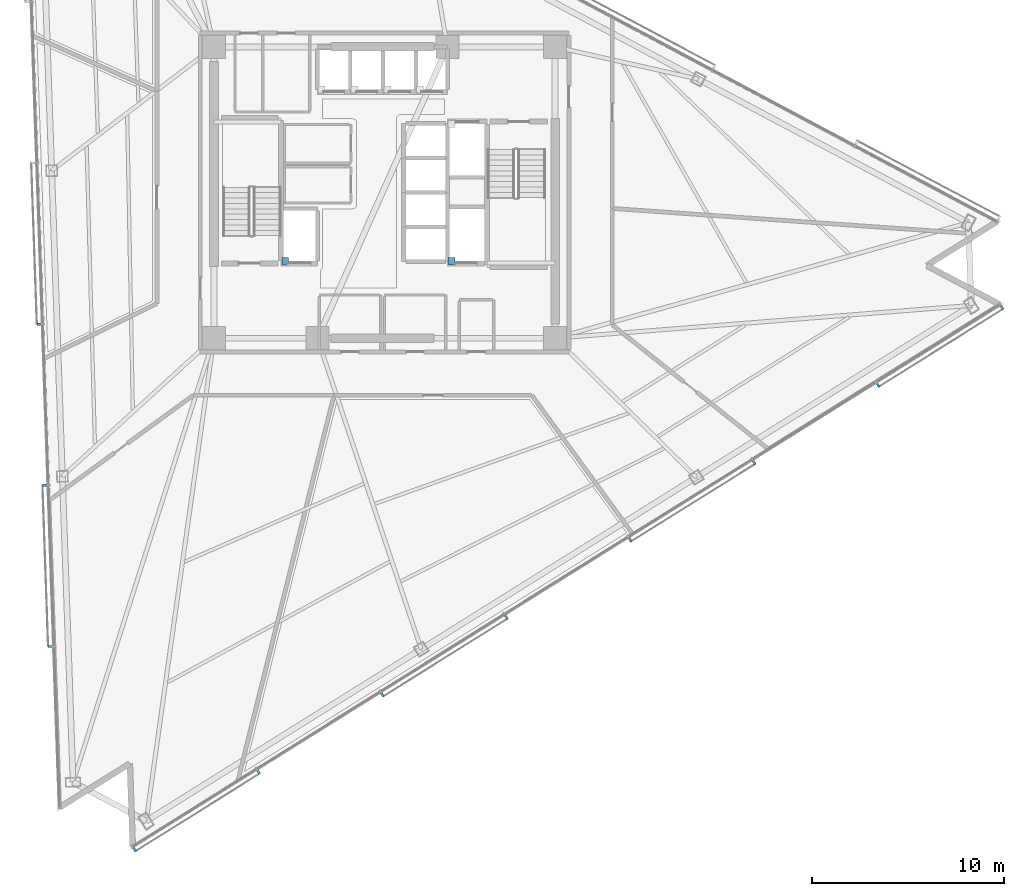
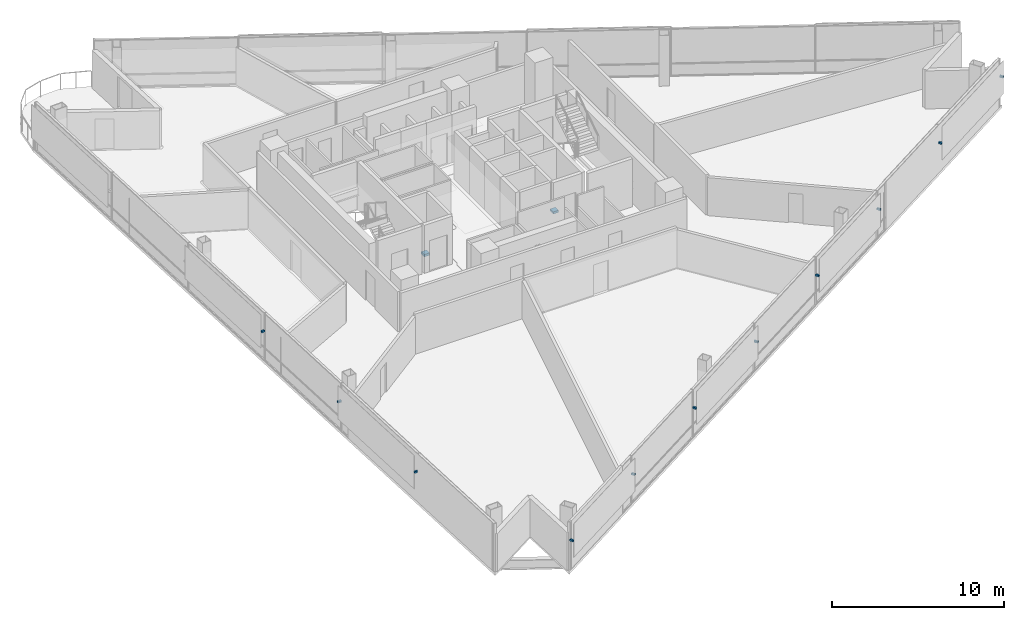
# One storey, part 15 of 21: 13 discrete accessories.
"""IFC4 building model written with IfcOpenShell, lengths in metres."""

from ifc_helpers import new_model, si_unit, direction, frame, origin, origin_2d, place, context, subcontext, project, spatial, rectangle, extrude, material, type_object, element, save


model = new_model("IFC4")

# Units and contexts
model_context = context("Model", 3, precision=1e-05, world=origin(), true_north=direction((0.0, 1.0)))
body_context = subcontext(model_context, "Body", "Model", "MODEL_VIEW")
ifc_project = project(units=[si_unit("LENGTHUNIT", "METRE"), si_unit("AREAUNIT", "SQUARE_METRE"), si_unit("VOLUMEUNIT", "CUBIC_METRE"), si_unit("PLANEANGLEUNIT", "RADIAN"), si_unit("MASSUNIT", "GRAM", prefix="KILO")], contexts=[model_context])

# Site, building, storey
site_placement = place(None, origin())
site = spatial("IfcSite", under=ifc_project, at=site_placement, CompositionType="ELEMENT")
building_placement = place(site_placement, origin())
building = spatial("IfcBuilding", under=site, at=building_placement, Name="Tharavind Bronze Gate", CompositionType="ELEMENT")
storey_placement = place(building_placement, frame((0.0, 0.0, 156.800048828125)))
storey = spatial("IfcBuildingStorey", under=building, at=storey_placement, Name="L40", CompositionType="ELEMENT", Elevation=156.800048828125)

# Discrete accessories
ifc_material_1 = material(Name="Galvanised Steel S355", Category="steel")
discrete_accessory_type_1 = type_object("IfcDiscreteAccessoryType", Name="LIFT GUIDE RAIL BRACKET", PredefinedType="BRACKET", material=ifc_material_1)
for number, where, z_axis, x_axis, name in (
    (1, (-5.179931640625, -3.580078125, 1.1201171875), (0.0, 0.0, 1.0), (1.0, 0.0, 0.0), "Lift FFL1 guide rail bracket at L40"),
    (2, (3.5, -3.580078125, 1.1201171875), (0.0, 0.0, 1.0), (1.0, 0.0, 0.0), "Lift SVL1 guide rail bracket at L40"),
):
    element("IfcDiscreteAccessory", number, at=place(storey_placement, frame(where, z_axis=z_axis, x_axis=x_axis)), inside=storey, type_object=discrete_accessory_type_1, Name=name, PredefinedType="BRACKET", context=body_context, shape_type="SweptSolid", body=[
        extrude(rectangle(XDim=0.360107421875, YDim=0.360107421875, at=origin_2d()), origin(), (0.0, 0.0, 1.0), 0.159912109375),
    ])
ifc_material_2 = material(Name="Stainless Steel 316", Category="steel")
discrete_accessory_type_2 = type_object("IfcDiscreteAccessoryType", Name="SOLAR SCREEN STANDOFF BRACKET", PredefinedType="BRACKET", material=ifc_material_2)
for number, where, z_axis, x_axis, name in (
    (3, (-18.018798828125, -6.8701171875, 2.094970703125), (0.0, 0.0, 1.0), (0.034899496703, -0.999390827019, 0.0), "CW-L40-S1 solar screen bracket 3.2"),
    (4, (-17.72509765625, -15.279541015625, 2.094970703125), (0.0, 0.0, 1.0), (0.034899496703, -0.999390827019, 0.0), "CW-L40-S1 solar screen bracket 5.1"),
    (5, (-17.431396484375, -23.68896484375, 2.094970703125), (0.0, 0.0, 1.0), (0.034899496703, -0.999390827019, 0.0), "CW-L40-S1 solar screen bracket 5.2"),
    (6, (-13.048095703125, -34.27294921875, 2.094970703125), (0.0, 0.0, 1.0), (0.848048096156, 0.529919264233, 0.0), "CW-L40-S2 solar screen bracket 1.1"),
    (7, (-6.582763671875, -30.23291015625, 2.094970703125), (0.0, 0.0, 1.0), (0.848048096156, 0.529919264233, 0.0), "CW-L40-S2 solar screen bracket 1.2"),
    (8, (-0.1171875, -26.19287109375, 2.094970703125), (0.0, 0.0, 1.0), (0.848048096156, 0.529919264233, 0.0), "CW-L40-S2 solar screen bracket 3.1"),
    (9, (6.34814453125, -22.15283203125, 2.094970703125), (0.0, 0.0, 1.0), (0.848048096156, 0.529919264233, 0.0), "CW-L40-S2 solar screen bracket 3.2"),
    (10, (12.813720703125, -18.11279296875, 2.094970703125), (0.0, 0.0, 1.0), (0.848048096156, 0.529919264233, 0.0), "CW-L40-S2 solar screen bracket 5.1"),
    (11, (19.279052734375, -14.07275390625, 2.094970703125), (0.0, 0.0, 1.0), (0.848048096156, 0.529919264233, 0.0), "CW-L40-S2 solar screen bracket 5.2"),
    (12, (25.744384765625, -10.03271484375, 2.094970703125), (0.0, 0.0, 1.0), (0.848048096156, 0.529919264233, 0.0), "CW-L40-S2 solar screen bracket 7.1"),
    (13, (32.2099609375, -5.992431640625, 2.094970703125), (0.0, 0.0, 1.0), (0.848048096156, 0.529919264233, 0.0), "CW-L40-S2 solar screen bracket 7.2"),
):
    element("IfcDiscreteAccessory", number, at=place(storey_placement, frame(where, z_axis=z_axis, x_axis=x_axis)), inside=storey, type_object=discrete_accessory_type_2, Name=name, PredefinedType="BRACKET", context=body_context, shape_type="SweptSolid", body=[
        extrude(rectangle(XDim=0.1201171875, YDim=0.239990234375, at=origin_2d()), origin(), (0.0, 0.0, 1.0), 0.1201171875),
    ])

save(model, "model.ifc")
